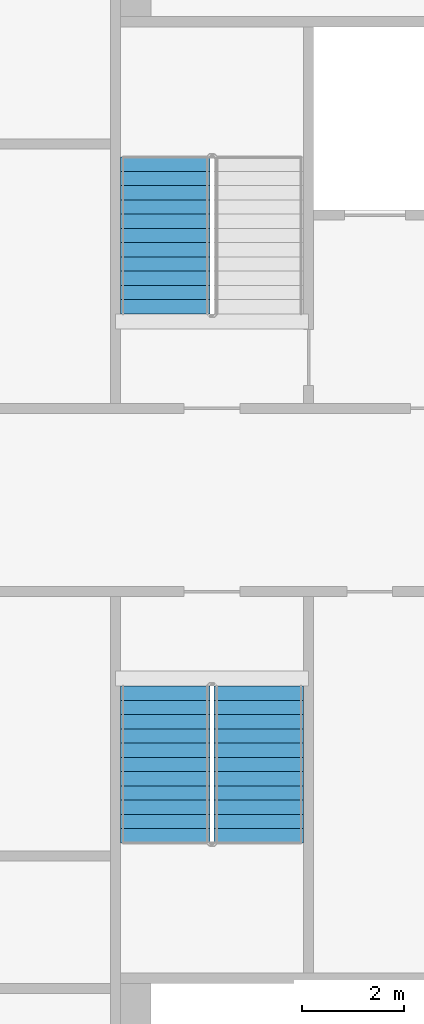
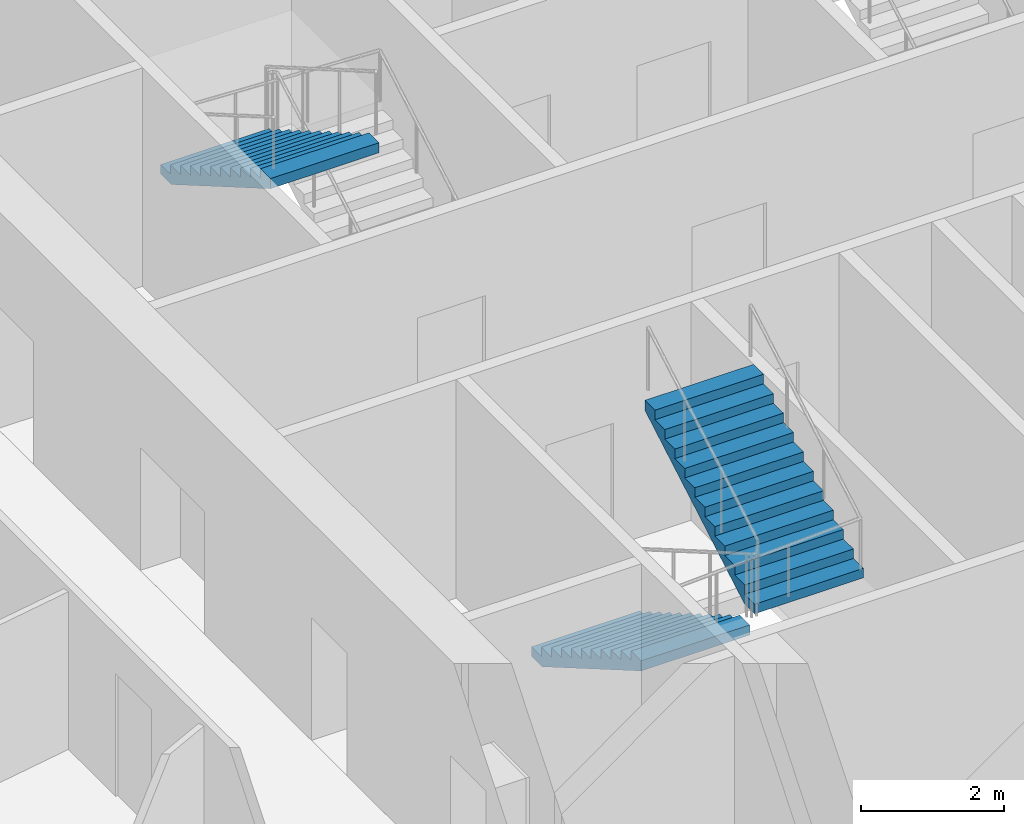
# One storey, part 14 of 21: 3 stair flights, 2 elements without a shape of their own.
"""IFC4 building model written with IfcOpenShell, lengths in metres."""

import ifcopenshell
import ifcopenshell.guid

model = None  # the IFC model being written
_history = None  # IfcOwnerHistory: only IFC2X3 demands one
_inside = {}  # id of a spatial element -> (the spatial element, [elements in it])
_under = {}  # id of a project, library or spatial element -> (it, [spatial elements below it])
_declared = {}  # id of a project -> (the project, [libraries it declares])
_typed = {}  # id of a type object -> (the type object, [elements of that type])
_made_of = {}  # id of a material, layer set ... -> (it, [elements and type objects made of it])


def new_model(schema):
    """Start an empty IFC model of exactly this schema.

    Asked for "IFC4X3", IfcOpenShell would pick the latest addendum, in which some entities
    have other attributes; the version numbers below select the first issue.
    IFC2X3 requires an IfcOwnerHistory on every rooted entity: one is made here for all.
    """
    global model, _history
    if schema == "IFC4X3":
        model = ifcopenshell.file(schema_version=(4, 3, 0, 0))
    else:
        model = ifcopenshell.file(schema=schema)
    _inside.clear()
    _under.clear()
    _declared.clear()
    _typed.clear()
    _made_of.clear()
    _history = None
    if model.schema == "IFC2X3":
        org = make("IfcOrganization", Name="unknown")
        user = make(
            "IfcPersonAndOrganization",
            ThePerson=make("IfcPerson", FamilyName="unknown"),
            TheOrganization=org,
        )
        app = make(
            "IfcApplication",
            ApplicationDeveloper=org,
            Version="unknown",
            ApplicationFullName="unknown",
            ApplicationIdentifier="unknown",
        )
        _history = make(
            "IfcOwnerHistory",
            OwningUser=user,
            OwningApplication=app,
            ChangeAction="ADDED",
            CreationDate=0,
        )
    return model


def make(cls, **values):
    """One entity of the class cls with the attributes given. An attribute that is None is left unset."""
    return model.create_entity(
        cls, **{name: value for name, value in values.items() if value is not None}
    )


def rooted(cls, **values):
    """An entity with a GlobalId (a new one), such as an element, a storey or a relation."""
    return make(cls, GlobalId=ifcopenshell.guid.new(), OwnerHistory=_history, **values)


def si_unit(unit_type, name, prefix=None):
    """IfcSIUnit, for example si_unit("LENGTHUNIT", "METRE", prefix="MILLI")."""
    return make("IfcSIUnit", UnitType=unit_type, Prefix=prefix, Name=name)


def assignment(units):
    """IfcUnitAssignment: the units of a project."""
    return None if units is None else make("IfcUnitAssignment", Units=units)


def point(xyz):
    """IfcCartesianPoint."""
    return None if xyz is None else make("IfcCartesianPoint", Coordinates=xyz)


def direction(xyz):
    """IfcDirection."""
    return None if xyz is None else make("IfcDirection", DirectionRatios=xyz)


def frame(location, z_axis=None, x_axis=None):
    """IfcAxis2Placement3D, a coordinate frame: its origin and axes. An axis left out is left unset."""
    return make(
        "IfcAxis2Placement3D",
        Location=point(location),
        Axis=direction(z_axis),
        RefDirection=direction(x_axis),
    )


def origin():
    """The frame at (0, 0, 0) with its axes left unset."""
    return frame((0.0, 0.0, 0.0))


def place(relative_to, where):
    """IfcLocalPlacement: puts the frame where relative to a parent placement (None: the world)."""
    return make(
        "IfcLocalPlacement", PlacementRelTo=relative_to, RelativePlacement=where
    )


def context(
    kind, dimensions, precision=None, world=None, true_north=None, identifier=None
):
    """IfcGeometricRepresentationContext, for example the 3D "Model" context."""
    return make(
        "IfcGeometricRepresentationContext",
        ContextIdentifier=identifier,
        ContextType=kind,
        CoordinateSpaceDimension=dimensions,
        Precision=precision,
        WorldCoordinateSystem=world,
        TrueNorth=true_north,
    )


def subcontext(parent, identifier, kind, view, scale=None):
    """IfcGeometricRepresentationSubContext, for example "Body" below "Model"."""
    return make(
        "IfcGeometricRepresentationSubContext",
        ContextIdentifier=identifier,
        ContextType=kind,
        ParentContext=parent,
        TargetScale=scale,
        TargetView=view,
    )


def project(units=None, contexts=None):
    """IfcProject with its units and contexts."""
    return rooted(
        "IfcProject",
        Name="project",
        RepresentationContexts=contexts,
        UnitsInContext=assignment(units),
    )


def spatial(cls, under=None, at=None, **own):
    """A site, building, storey or space (cls), placed at a placement, below another one or the project."""
    s = rooted(cls, ObjectPlacement=at, **own)
    if under is not None:
        _under.setdefault(under.id(), (under, []))[1].append(s)
    return s


def faces_of(points, faces, orient=None, outer=None):
    """IfcFace entities. A face is a list of loops; a loop is a list of indices into points, from 0.

    orient and outer hold one flag for each loop. By default every Orientation is true, the
    first loop of a face is its IfcFaceOuterBound and the others are IfcFaceBound.
    """
    made = []
    for i, loops in enumerate(faces):
        bounds = []
        for j, loop in enumerate(loops):
            is_outer = j == 0 if outer is None else outer[i][j]
            bounds.append(
                make(
                    "IfcFaceOuterBound" if is_outer else "IfcFaceBound",
                    Bound=make("IfcPolyLoop", Polygon=[points[k] for k in loop]),
                    Orientation=True if orient is None else orient[i][j],
                )
            )
        made.append(make("IfcFace", Bounds=bounds))
    return made


def faceted_brep(points, faces, orient=None, outer=None, voids=None):
    """IfcFacetedBrep: a solid bounded by flat faces; with voids (closed shells), ...WithVoids."""
    shared = [point(p) for p in points]
    hull = make("IfcClosedShell", CfsFaces=faces_of(shared, faces, orient, outer))
    if voids is None:
        return make("IfcFacetedBrep", Outer=hull)
    return make(
        "IfcFacetedBrepWithVoids",
        Outer=hull,
        Voids=[
            make(cls, CfsFaces=faces_of(shared, fs, o, b)) for cls, fs, o, b in voids
        ],
    )


def shape(context_of_items, identifier, shape_type, items):
    """IfcShapeRepresentation: the items that make up one representation, for example the "Body"."""
    return make(
        "IfcShapeRepresentation",
        ContextOfItems=context_of_items,
        RepresentationIdentifier=identifier,
        RepresentationType=shape_type,
        Items=items,
    )


def material(Name=None, Category=None):
    """IfcMaterial."""
    return make("IfcMaterial", Name=Name, Category=Category)


def made_of(thing, what):
    """Note that an element or type object is made of a material, layer set ...; save() writes the relation."""
    if what is not None:
        _made_of.setdefault(what.id(), (what, []))[1].append(thing)
    return thing


def type_object(cls, material=None, **own):
    """A type object (cls), such as IfcWallType, which elements share."""
    return made_of(rooted(cls, **own), material)


def element(
    cls,
    number,
    at=None,
    inside=None,
    cuts=None,
    type_object=None,
    material=None,
    context=None,
    identifier="Body",
    shape_type=None,
    held_by="IfcProductDefinitionShape",
    body=None,
    shapes=None,
    **own,
):
    """One element of the class cls, such as IfcWall. Its Tag is "e" and its number.

    at: its placement. inside: the storey or other place that contains it. cuts: it is an
    opening in that element (IfcRelVoidsElement). A single representation is given by context,
    identifier, shape_type and body (its items); several are given by shapes. held_by: the class
    of the entity that holds the representations. save() writes the other relations.
    """
    e = rooted(cls, Tag="e%d" % number, ObjectPlacement=at, **own)
    if body is not None:
        shapes = [shape(context, identifier, shape_type, body)]
    if shapes is not None:
        e.Representation = make(held_by, Representations=shapes)
    if inside is not None:
        _inside.setdefault(inside.id(), (inside, []))[1].append(e)
    if cuts is not None:
        rooted(
            "IfcRelVoidsElement", RelatingBuildingElement=cuts, RelatedOpeningElement=e
        )
    if type_object is not None:
        _typed.setdefault(type_object.id(), (type_object, []))[1].append(e)
    return made_of(e, material)


def aggregate(whole, parts):
    """IfcRelAggregates: a whole, such as a stair, and the parts it consists of."""
    return rooted("IfcRelAggregates", RelatingObject=whole, RelatedObjects=parts)


def save(model, path):
    """Write the relations noted so far, then the file.

    IfcRelAggregates (storeys below a building ...), IfcRelContainedInSpatialStructure (elements
    in a storey), IfcRelDefinesByType, IfcRelAssociatesMaterial and IfcRelDeclares: one each for
    every whole, place, type object, material and project.
    """
    for whole, parts in _under.values():
        aggregate(whole, parts)
    for where, things in _inside.values():
        rooted(
            "IfcRelContainedInSpatialStructure",
            RelatedElements=things,
            RelatingStructure=where,
        )
    for kind, things in _typed.values():
        rooted("IfcRelDefinesByType", RelatedObjects=things, RelatingType=kind)
    for what, things in _made_of.values():
        rooted("IfcRelAssociatesMaterial", RelatedObjects=things, RelatingMaterial=what)
    for by, libraries in _declared.values():
        rooted("IfcRelDeclares", RelatingContext=by, RelatedDefinitions=libraries)
    model.write(path)


model = new_model("IFC4")

# Units and contexts
model_context = context("Model", 3, precision=1e-05, world=origin(), true_north=direction((0.0, 1.0)))
body_context = subcontext(model_context, "Body", "Model", "MODEL_VIEW")
ifc_project = project(units=[si_unit("LENGTHUNIT", "METRE"), si_unit("AREAUNIT", "SQUARE_METRE"), si_unit("VOLUMEUNIT", "CUBIC_METRE"), si_unit("PLANEANGLEUNIT", "RADIAN"), si_unit("MASSUNIT", "GRAM", prefix="KILO")], contexts=[model_context])

# Site, building, storey
site_placement = place(None, origin())
site = spatial("IfcSite", under=ifc_project, at=site_placement, CompositionType="ELEMENT")
building_placement = place(site_placement, origin())
building = spatial("IfcBuilding", under=site, at=building_placement, Name="Tarsis Ring Headquarters", CompositionType="ELEMENT")
storey_placement = place(building_placement, frame((0.0, 0.0, 171.0)))
storey = spatial("IfcBuildingStorey", under=building, at=storey_placement, Name="L39", CompositionType="ELEMENT", Elevation=171.0)

# Stair, stair flight
ifc_material_1 = material(Name="Core stair 1760")
stair_type = type_object("IfcStairType", Name="Core stair 1760", PredefinedType="HALF_TURN_STAIR", material=ifc_material_1)
stair_1_placement = place(storey_placement, origin())
stair_1 = element("IfcStair", 1, at=stair_1_placement, inside=storey, type_object=stair_type, Name="L39 Firefighting stair", PredefinedType="HALF_TURN_STAIR")
ifc_material_2 = material(Name="Concrete C40/50", Category="concrete")
stair_flight_type = type_object("IfcStairFlightType", Name="Core stair flight 1760", PredefinedType="STRAIGHT", material=ifc_material_2)
stair_flight_1_placement = place(storey_placement, frame((-5.419921875, 6.739990234375, 1.949951171875), z_axis=(0.0, 0.0, 1.0), x_axis=(0.0, -1.0, 0.0)))
stair_flight_1 = element("IfcStairFlight", 2, at=stair_flight_1_placement, type_object=stair_flight_type, Name="Stair ST1 flight 2", NumberOfRisers=12, NumberOfTreads=11, PredefinedType="STRAIGHT", RiserHeight=0.1625, TreadLength=0.28, context=body_context, shape_type="Brep", body=[
    faceted_brep([(0.0, 0.8798828125, 0.0), (0.0, 0.8798828125, 0.16259765625), (0.280029296875, 0.8798828125, 0.16259765625), (0.280029296875, 0.8798828125, 0.324951171875), (0.56005859375, 0.8798828125, 0.324951171875), (0.56005859375, 0.8798828125, 0.487548828125), (0.840087890625, 0.8798828125, 0.487548828125), (0.840087890625, 0.8798828125, 0.64990234375), (1.1201171875, 0.8798828125, 0.64990234375), (1.1201171875, 0.8798828125, 0.8125), (1.39990234375, 0.8798828125, 0.8125), (1.39990234375, 0.8798828125, 0.97509765625), (1.679931640625, 0.8798828125, 0.97509765625), (1.679931640625, 0.8798828125, 1.137451171875), (1.9599609375, 0.8798828125, 1.137451171875), (1.9599609375, 0.8798828125, 1.300048828125), (2.239990234375, 0.8798828125, 1.300048828125), (2.239990234375, 0.8798828125, 1.46240234375), (2.52001953125, 0.8798828125, 1.46240234375), (2.52001953125, 0.8798828125, 1.625), (2.800048828125, 0.8798828125, 1.625), (2.800048828125, 0.8798828125, 1.78759765625), (3.080078125, 0.8798828125, 1.78759765625), (3.080078125, 0.8798828125, 1.6142578125), (0.298583984375, 0.8798828125, 0.0), (0.298583984375, -0.8798828125, 0.0), (3.080078125, -0.8798828125, 1.6142578125), (3.080078125, -0.8798828125, 1.78759765625), (2.800048828125, -0.8798828125, 1.78759765625), (2.800048828125, -0.8798828125, 1.625), (2.52001953125, -0.8798828125, 1.625), (2.52001953125, -0.8798828125, 1.46240234375), (2.239990234375, -0.8798828125, 1.46240234375), (2.239990234375, -0.8798828125, 1.300048828125), (1.9599609375, -0.8798828125, 1.300048828125), (1.9599609375, -0.8798828125, 1.137451171875), (1.679931640625, -0.8798828125, 1.137451171875), (1.679931640625, -0.8798828125, 0.97509765625), (1.39990234375, -0.8798828125, 0.97509765625), (1.39990234375, -0.8798828125, 0.8125), (1.1201171875, -0.8798828125, 0.8125), (1.1201171875, -0.8798828125, 0.64990234375), (0.840087890625, -0.8798828125, 0.64990234375), (0.840087890625, -0.8798828125, 0.487548828125), (0.56005859375, -0.8798828125, 0.487548828125), (0.56005859375, -0.8798828125, 0.324951171875), (0.280029296875, -0.8798828125, 0.324951171875), (0.280029296875, -0.8798828125, 0.16259765625), (0.0, -0.8798828125, 0.16259765625), (0.0, -0.8798828125, 0.0), (0.0, -0.43994140625, 0.16259765625), (0.0, -0.43994140625, 0.0), (0.0, 0.0, 0.16259765625), (0.0, 0.0, 0.0), (0.0, 0.43994140625, 0.16259765625), (0.0, 0.43994140625, 0.0), (0.280029296875, -0.43994140625, 0.16259765625), (0.280029296875, 0.0, 0.16259765625), (0.280029296875, 0.43994140625, 0.16259765625), (0.280029296875, -0.43994140625, 0.324951171875), (0.280029296875, 0.0, 0.324951171875), (0.280029296875, 0.43994140625, 0.324951171875), (0.56005859375, -0.43994140625, 0.324951171875), (0.56005859375, 0.0, 0.324951171875), (0.56005859375, 0.43994140625, 0.324951171875), (0.56005859375, -0.43994140625, 0.487548828125), (0.56005859375, 0.0, 0.487548828125), (0.56005859375, 0.43994140625, 0.487548828125), (0.840087890625, -0.43994140625, 0.487548828125), (0.840087890625, 0.0, 0.487548828125), (0.840087890625, 0.43994140625, 0.487548828125), (0.840087890625, -0.43994140625, 0.64990234375), (0.840087890625, 0.0, 0.64990234375), (0.840087890625, 0.43994140625, 0.64990234375), (1.1201171875, -0.43994140625, 0.64990234375), (1.1201171875, 0.0, 0.64990234375), (1.1201171875, 0.43994140625, 0.64990234375), (1.1201171875, -0.43994140625, 0.8125), (1.1201171875, 0.0, 0.8125), (1.1201171875, 0.43994140625, 0.8125), (1.39990234375, -0.43994140625, 0.8125), (1.39990234375, 0.0, 0.8125), (1.39990234375, 0.43994140625, 0.8125), (1.39990234375, -0.43994140625, 0.97509765625), (1.39990234375, 0.0, 0.97509765625), (1.39990234375, 0.43994140625, 0.97509765625), (1.679931640625, -0.43994140625, 0.97509765625), (1.679931640625, 0.0, 0.97509765625), (1.679931640625, 0.43994140625, 0.97509765625), (1.679931640625, -0.43994140625, 1.137451171875), (1.679931640625, 0.0, 1.137451171875), (1.679931640625, 0.43994140625, 1.137451171875), (1.9599609375, -0.43994140625, 1.137451171875), (1.9599609375, 0.0, 1.137451171875), (1.9599609375, 0.43994140625, 1.137451171875), (1.9599609375, -0.43994140625, 1.300048828125), (1.9599609375, 0.0, 1.300048828125), (1.9599609375, 0.43994140625, 1.300048828125), (2.239990234375, -0.43994140625, 1.300048828125), (2.239990234375, 0.0, 1.300048828125), (2.239990234375, 0.43994140625, 1.300048828125), (2.239990234375, -0.43994140625, 1.46240234375), (2.239990234375, 0.0, 1.46240234375), (2.239990234375, 0.43994140625, 1.46240234375), (2.52001953125, -0.43994140625, 1.46240234375), (2.52001953125, 0.0, 1.46240234375), (2.52001953125, 0.43994140625, 1.46240234375), (2.52001953125, -0.43994140625, 1.625), (2.52001953125, 0.0, 1.625), (2.52001953125, 0.43994140625, 1.625), (2.800048828125, -0.43994140625, 1.625), (2.800048828125, 0.0, 1.625), (2.800048828125, 0.43994140625, 1.625), (2.800048828125, -0.43994140625, 1.78759765625), (2.800048828125, 0.0, 1.78759765625), (2.800048828125, 0.43994140625, 1.78759765625), (3.080078125, -0.43994140625, 1.78759765625), (3.080078125, 0.0, 1.78759765625), (3.080078125, 0.43994140625, 1.78759765625), (3.080078125, -0.43994140625, 1.6142578125), (3.080078125, 0.0, 1.6142578125), (3.080078125, 0.43994140625, 1.6142578125), (0.298583984375, -0.43994140625, 0.0), (0.298583984375, 0.0, 0.0), (0.298583984375, 0.43994140625, 0.0)], [[[0, 1, 2, 3, 4, 5, 6, 7, 8, 9, 10, 11, 12, 13, 14, 15, 16, 17, 18, 19, 20, 21, 22, 23, 24]], [[25, 26, 27, 28, 29, 30, 31, 32, 33, 34, 35, 36, 37, 38, 39, 40, 41, 42, 43, 44, 45, 46, 47, 48, 49]], [[49, 48, 50, 51]], [[51, 50, 52, 53]], [[53, 52, 54, 55]], [[55, 54, 1, 0]], [[48, 47, 56, 50]], [[50, 56, 57, 52]], [[52, 57, 58, 54]], [[54, 58, 2, 1]], [[47, 46, 59, 56]], [[56, 59, 60, 57]], [[57, 60, 61, 58]], [[58, 61, 3, 2]], [[46, 45, 62, 59]], [[59, 62, 63, 60]], [[60, 63, 64, 61]], [[61, 64, 4, 3]], [[45, 44, 65, 62]], [[62, 65, 66, 63]], [[63, 66, 67, 64]], [[64, 67, 5, 4]], [[44, 43, 68, 65]], [[65, 68, 69, 66]], [[66, 69, 70, 67]], [[67, 70, 6, 5]], [[43, 42, 71, 68]], [[68, 71, 72, 69]], [[69, 72, 73, 70]], [[70, 73, 7, 6]], [[42, 41, 74, 71]], [[71, 74, 75, 72]], [[72, 75, 76, 73]], [[73, 76, 8, 7]], [[41, 40, 77, 74]], [[74, 77, 78, 75]], [[75, 78, 79, 76]], [[76, 79, 9, 8]], [[40, 39, 80, 77]], [[77, 80, 81, 78]], [[78, 81, 82, 79]], [[79, 82, 10, 9]], [[39, 38, 83, 80]], [[80, 83, 84, 81]], [[81, 84, 85, 82]], [[82, 85, 11, 10]], [[38, 37, 86, 83]], [[83, 86, 87, 84]], [[84, 87, 88, 85]], [[85, 88, 12, 11]], [[37, 36, 89, 86]], [[86, 89, 90, 87]], [[87, 90, 91, 88]], [[88, 91, 13, 12]], [[36, 35, 92, 89]], [[89, 92, 93, 90]], [[90, 93, 94, 91]], [[91, 94, 14, 13]], [[35, 34, 95, 92]], [[92, 95, 96, 93]], [[93, 96, 97, 94]], [[94, 97, 15, 14]], [[34, 33, 98, 95]], [[95, 98, 99, 96]], [[96, 99, 100, 97]], [[97, 100, 16, 15]], [[33, 32, 101, 98]], [[98, 101, 102, 99]], [[99, 102, 103, 100]], [[100, 103, 17, 16]], [[32, 31, 104, 101]], [[101, 104, 105, 102]], [[102, 105, 106, 103]], [[103, 106, 18, 17]], [[31, 30, 107, 104]], [[104, 107, 108, 105]], [[105, 108, 109, 106]], [[106, 109, 19, 18]], [[30, 29, 110, 107]], [[107, 110, 111, 108]], [[108, 111, 112, 109]], [[109, 112, 20, 19]], [[29, 28, 113, 110]], [[110, 113, 114, 111]], [[111, 114, 115, 112]], [[112, 115, 21, 20]], [[28, 27, 116, 113]], [[113, 116, 117, 114]], [[114, 117, 118, 115]], [[115, 118, 22, 21]], [[27, 26, 119, 116]], [[116, 119, 120, 117]], [[117, 120, 121, 118]], [[118, 121, 23, 22]], [[26, 25, 122, 119]], [[119, 122, 123, 120]], [[120, 123, 124, 121]], [[121, 124, 24, 23]], [[25, 49, 51, 122]], [[122, 51, 53, 123]], [[123, 53, 55, 124]], [[124, 55, 0, 24]]]),
])
aggregate(stair_1, [stair_flight_1])

# Stair, stair flights
stair_2_placement = place(storey_placement, origin())
stair_2 = element("IfcStair", 3, at=stair_2_placement, inside=storey, type_object=stair_type, Name="L39 Exit stair C", PredefinedType="HALF_TURN_STAIR")
stair_flight_2_placement = place(storey_placement, frame((-5.419921875, -3.659912109375, 0.0), z_axis=(0.0, 0.0, 1.0), x_axis=(0.0, -1.0, 0.0)))
stair_flight_2 = element("IfcStairFlight", 4, at=stair_flight_2_placement, type_object=stair_flight_type, Name="Stair ST3 flight 1", NumberOfRisers=12, NumberOfTreads=11, PredefinedType="STRAIGHT", RiserHeight=0.1625, TreadLength=0.28, context=body_context, shape_type="Brep", body=[
    faceted_brep([(0.0, 0.8798828125, 0.0), (0.0, 0.8798828125, 0.16259765625), (0.280029296875, 0.8798828125, 0.16259765625), (0.280029296875, 0.8798828125, 0.324951171875), (0.56005859375, 0.8798828125, 0.324951171875), (0.56005859375, 0.8798828125, 0.487548828125), (0.840087890625, 0.8798828125, 0.487548828125), (0.840087890625, 0.8798828125, 0.64990234375), (1.1201171875, 0.8798828125, 0.64990234375), (1.1201171875, 0.8798828125, 0.8125), (1.39990234375, 0.8798828125, 0.8125), (1.39990234375, 0.8798828125, 0.97509765625), (1.679931640625, 0.8798828125, 0.97509765625), (1.679931640625, 0.8798828125, 1.137451171875), (1.9599609375, 0.8798828125, 1.137451171875), (1.9599609375, 0.8798828125, 1.300048828125), (2.239990234375, 0.8798828125, 1.300048828125), (2.239990234375, 0.8798828125, 1.46240234375), (2.52001953125, 0.8798828125, 1.46240234375), (2.52001953125, 0.8798828125, 1.625), (2.800048828125, 0.8798828125, 1.625), (2.800048828125, 0.8798828125, 1.78759765625), (3.080078125, 0.8798828125, 1.78759765625), (3.080078125, 0.8798828125, 1.6142578125), (0.298583984375, 0.8798828125, 0.0), (0.298583984375, -0.8798828125, 0.0), (3.080078125, -0.8798828125, 1.6142578125), (3.080078125, -0.8798828125, 1.78759765625), (2.800048828125, -0.8798828125, 1.78759765625), (2.800048828125, -0.8798828125, 1.625), (2.52001953125, -0.8798828125, 1.625), (2.52001953125, -0.8798828125, 1.46240234375), (2.239990234375, -0.8798828125, 1.46240234375), (2.239990234375, -0.8798828125, 1.300048828125), (1.9599609375, -0.8798828125, 1.300048828125), (1.9599609375, -0.8798828125, 1.137451171875), (1.679931640625, -0.8798828125, 1.137451171875), (1.679931640625, -0.8798828125, 0.97509765625), (1.39990234375, -0.8798828125, 0.97509765625), (1.39990234375, -0.8798828125, 0.8125), (1.1201171875, -0.8798828125, 0.8125), (1.1201171875, -0.8798828125, 0.64990234375), (0.840087890625, -0.8798828125, 0.64990234375), (0.840087890625, -0.8798828125, 0.487548828125), (0.56005859375, -0.8798828125, 0.487548828125), (0.56005859375, -0.8798828125, 0.324951171875), (0.280029296875, -0.8798828125, 0.324951171875), (0.280029296875, -0.8798828125, 0.16259765625), (0.0, -0.8798828125, 0.16259765625), (0.0, -0.8798828125, 0.0), (0.0, -0.43994140625, 0.16259765625), (0.0, -0.43994140625, 0.0), (0.0, 0.0, 0.16259765625), (0.0, 0.0, 0.0), (0.0, 0.43994140625, 0.16259765625), (0.0, 0.43994140625, 0.0), (0.280029296875, -0.43994140625, 0.16259765625), (0.280029296875, 0.0, 0.16259765625), (0.280029296875, 0.43994140625, 0.16259765625), (0.280029296875, -0.43994140625, 0.324951171875), (0.280029296875, 0.0, 0.324951171875), (0.280029296875, 0.43994140625, 0.324951171875), (0.56005859375, -0.43994140625, 0.324951171875), (0.56005859375, 0.0, 0.324951171875), (0.56005859375, 0.43994140625, 0.324951171875), (0.56005859375, -0.43994140625, 0.487548828125), (0.56005859375, 0.0, 0.487548828125), (0.56005859375, 0.43994140625, 0.487548828125), (0.840087890625, -0.43994140625, 0.487548828125), (0.840087890625, 0.0, 0.487548828125), (0.840087890625, 0.43994140625, 0.487548828125), (0.840087890625, -0.43994140625, 0.64990234375), (0.840087890625, 0.0, 0.64990234375), (0.840087890625, 0.43994140625, 0.64990234375), (1.1201171875, -0.43994140625, 0.64990234375), (1.1201171875, 0.0, 0.64990234375), (1.1201171875, 0.43994140625, 0.64990234375), (1.1201171875, -0.43994140625, 0.8125), (1.1201171875, 0.0, 0.8125), (1.1201171875, 0.43994140625, 0.8125), (1.39990234375, -0.43994140625, 0.8125), (1.39990234375, 0.0, 0.8125), (1.39990234375, 0.43994140625, 0.8125), (1.39990234375, -0.43994140625, 0.97509765625), (1.39990234375, 0.0, 0.97509765625), (1.39990234375, 0.43994140625, 0.97509765625), (1.679931640625, -0.43994140625, 0.97509765625), (1.679931640625, 0.0, 0.97509765625), (1.679931640625, 0.43994140625, 0.97509765625), (1.679931640625, -0.43994140625, 1.137451171875), (1.679931640625, 0.0, 1.137451171875), (1.679931640625, 0.43994140625, 1.137451171875), (1.9599609375, -0.43994140625, 1.137451171875), (1.9599609375, 0.0, 1.137451171875), (1.9599609375, 0.43994140625, 1.137451171875), (1.9599609375, -0.43994140625, 1.300048828125), (1.9599609375, 0.0, 1.300048828125), (1.9599609375, 0.43994140625, 1.300048828125), (2.239990234375, -0.43994140625, 1.300048828125), (2.239990234375, 0.0, 1.300048828125), (2.239990234375, 0.43994140625, 1.300048828125), (2.239990234375, -0.43994140625, 1.46240234375), (2.239990234375, 0.0, 1.46240234375), (2.239990234375, 0.43994140625, 1.46240234375), (2.52001953125, -0.43994140625, 1.46240234375), (2.52001953125, 0.0, 1.46240234375), (2.52001953125, 0.43994140625, 1.46240234375), (2.52001953125, -0.43994140625, 1.625), (2.52001953125, 0.0, 1.625), (2.52001953125, 0.43994140625, 1.625), (2.800048828125, -0.43994140625, 1.625), (2.800048828125, 0.0, 1.625), (2.800048828125, 0.43994140625, 1.625), (2.800048828125, -0.43994140625, 1.78759765625), (2.800048828125, 0.0, 1.78759765625), (2.800048828125, 0.43994140625, 1.78759765625), (3.080078125, -0.43994140625, 1.78759765625), (3.080078125, 0.0, 1.78759765625), (3.080078125, 0.43994140625, 1.78759765625), (3.080078125, -0.43994140625, 1.6142578125), (3.080078125, 0.0, 1.6142578125), (3.080078125, 0.43994140625, 1.6142578125), (0.298583984375, -0.43994140625, 0.0), (0.298583984375, 0.0, 0.0), (0.298583984375, 0.43994140625, 0.0)], [[[0, 1, 2, 3, 4, 5, 6, 7, 8, 9, 10, 11, 12, 13, 14, 15, 16, 17, 18, 19, 20, 21, 22, 23, 24]], [[25, 26, 27, 28, 29, 30, 31, 32, 33, 34, 35, 36, 37, 38, 39, 40, 41, 42, 43, 44, 45, 46, 47, 48, 49]], [[49, 48, 50, 51]], [[51, 50, 52, 53]], [[53, 52, 54, 55]], [[55, 54, 1, 0]], [[48, 47, 56, 50]], [[50, 56, 57, 52]], [[52, 57, 58, 54]], [[54, 58, 2, 1]], [[47, 46, 59, 56]], [[56, 59, 60, 57]], [[57, 60, 61, 58]], [[58, 61, 3, 2]], [[46, 45, 62, 59]], [[59, 62, 63, 60]], [[60, 63, 64, 61]], [[61, 64, 4, 3]], [[45, 44, 65, 62]], [[62, 65, 66, 63]], [[63, 66, 67, 64]], [[64, 67, 5, 4]], [[44, 43, 68, 65]], [[65, 68, 69, 66]], [[66, 69, 70, 67]], [[67, 70, 6, 5]], [[43, 42, 71, 68]], [[68, 71, 72, 69]], [[69, 72, 73, 70]], [[70, 73, 7, 6]], [[42, 41, 74, 71]], [[71, 74, 75, 72]], [[72, 75, 76, 73]], [[73, 76, 8, 7]], [[41, 40, 77, 74]], [[74, 77, 78, 75]], [[75, 78, 79, 76]], [[76, 79, 9, 8]], [[40, 39, 80, 77]], [[77, 80, 81, 78]], [[78, 81, 82, 79]], [[79, 82, 10, 9]], [[39, 38, 83, 80]], [[80, 83, 84, 81]], [[81, 84, 85, 82]], [[82, 85, 11, 10]], [[38, 37, 86, 83]], [[83, 86, 87, 84]], [[84, 87, 88, 85]], [[85, 88, 12, 11]], [[37, 36, 89, 86]], [[86, 89, 90, 87]], [[87, 90, 91, 88]], [[88, 91, 13, 12]], [[36, 35, 92, 89]], [[89, 92, 93, 90]], [[90, 93, 94, 91]], [[91, 94, 14, 13]], [[35, 34, 95, 92]], [[92, 95, 96, 93]], [[93, 96, 97, 94]], [[94, 97, 15, 14]], [[34, 33, 98, 95]], [[95, 98, 99, 96]], [[96, 99, 100, 97]], [[97, 100, 16, 15]], [[33, 32, 101, 98]], [[98, 101, 102, 99]], [[99, 102, 103, 100]], [[100, 103, 17, 16]], [[32, 31, 104, 101]], [[101, 104, 105, 102]], [[102, 105, 106, 103]], [[103, 106, 18, 17]], [[31, 30, 107, 104]], [[104, 107, 108, 105]], [[105, 108, 109, 106]], [[106, 109, 19, 18]], [[30, 29, 110, 107]], [[107, 110, 111, 108]], [[108, 111, 112, 109]], [[109, 112, 20, 19]], [[29, 28, 113, 110]], [[110, 113, 114, 111]], [[111, 114, 115, 112]], [[112, 115, 21, 20]], [[28, 27, 116, 113]], [[113, 116, 117, 114]], [[114, 117, 118, 115]], [[115, 118, 22, 21]], [[27, 26, 119, 116]], [[116, 119, 120, 117]], [[117, 120, 121, 118]], [[118, 121, 23, 22]], [[26, 25, 122, 119]], [[119, 122, 123, 120]], [[120, 123, 124, 121]], [[121, 124, 24, 23]], [[25, 49, 51, 122]], [[122, 51, 53, 123]], [[123, 53, 55, 124]], [[124, 55, 0, 24]]]),
])
stair_flight_3_placement = place(storey_placement, frame((-3.580078125, -6.739990234375, 1.949951171875), z_axis=(0.0, 0.0, 1.0), x_axis=(0.0, 1.0, 0.0)))
stair_flight_3 = element("IfcStairFlight", 5, at=stair_flight_3_placement, type_object=stair_flight_type, Name="Stair ST3 flight 2", NumberOfRisers=12, NumberOfTreads=11, PredefinedType="STRAIGHT", RiserHeight=0.1625, TreadLength=0.28, context=body_context, shape_type="Brep", body=[
    faceted_brep([(0.0, 0.8798828125, 0.0), (0.0, 0.8798828125, 0.16259765625), (0.280029296875, 0.8798828125, 0.16259765625), (0.280029296875, 0.8798828125, 0.324951171875), (0.56005859375, 0.8798828125, 0.324951171875), (0.56005859375, 0.8798828125, 0.487548828125), (0.840087890625, 0.8798828125, 0.487548828125), (0.840087890625, 0.8798828125, 0.64990234375), (1.1201171875, 0.8798828125, 0.64990234375), (1.1201171875, 0.8798828125, 0.8125), (1.39990234375, 0.8798828125, 0.8125), (1.39990234375, 0.8798828125, 0.97509765625), (1.679931640625, 0.8798828125, 0.97509765625), (1.679931640625, 0.8798828125, 1.137451171875), (1.9599609375, 0.8798828125, 1.137451171875), (1.9599609375, 0.8798828125, 1.300048828125), (2.239990234375, 0.8798828125, 1.300048828125), (2.239990234375, 0.8798828125, 1.46240234375), (2.52001953125, 0.8798828125, 1.46240234375), (2.52001953125, 0.8798828125, 1.625), (2.800048828125, 0.8798828125, 1.625), (2.800048828125, 0.8798828125, 1.78759765625), (3.080078125, 0.8798828125, 1.78759765625), (3.080078125, 0.8798828125, 1.6142578125), (0.298583984375, 0.8798828125, 0.0), (0.298583984375, -0.8798828125, 0.0), (3.080078125, -0.8798828125, 1.6142578125), (3.080078125, -0.8798828125, 1.78759765625), (2.800048828125, -0.8798828125, 1.78759765625), (2.800048828125, -0.8798828125, 1.625), (2.52001953125, -0.8798828125, 1.625), (2.52001953125, -0.8798828125, 1.46240234375), (2.239990234375, -0.8798828125, 1.46240234375), (2.239990234375, -0.8798828125, 1.300048828125), (1.9599609375, -0.8798828125, 1.300048828125), (1.9599609375, -0.8798828125, 1.137451171875), (1.679931640625, -0.8798828125, 1.137451171875), (1.679931640625, -0.8798828125, 0.97509765625), (1.39990234375, -0.8798828125, 0.97509765625), (1.39990234375, -0.8798828125, 0.8125), (1.1201171875, -0.8798828125, 0.8125), (1.1201171875, -0.8798828125, 0.64990234375), (0.840087890625, -0.8798828125, 0.64990234375), (0.840087890625, -0.8798828125, 0.487548828125), (0.56005859375, -0.8798828125, 0.487548828125), (0.56005859375, -0.8798828125, 0.324951171875), (0.280029296875, -0.8798828125, 0.324951171875), (0.280029296875, -0.8798828125, 0.16259765625), (0.0, -0.8798828125, 0.16259765625), (0.0, -0.8798828125, 0.0), (0.0, -0.43994140625, 0.16259765625), (0.0, -0.43994140625, 0.0), (0.0, 0.0, 0.16259765625), (0.0, 0.0, 0.0), (0.0, 0.43994140625, 0.16259765625), (0.0, 0.43994140625, 0.0), (0.280029296875, -0.43994140625, 0.16259765625), (0.280029296875, 0.0, 0.16259765625), (0.280029296875, 0.43994140625, 0.16259765625), (0.280029296875, -0.43994140625, 0.324951171875), (0.280029296875, 0.0, 0.324951171875), (0.280029296875, 0.43994140625, 0.324951171875), (0.56005859375, -0.43994140625, 0.324951171875), (0.56005859375, 0.0, 0.324951171875), (0.56005859375, 0.43994140625, 0.324951171875), (0.56005859375, -0.43994140625, 0.487548828125), (0.56005859375, 0.0, 0.487548828125), (0.56005859375, 0.43994140625, 0.487548828125), (0.840087890625, -0.43994140625, 0.487548828125), (0.840087890625, 0.0, 0.487548828125), (0.840087890625, 0.43994140625, 0.487548828125), (0.840087890625, -0.43994140625, 0.64990234375), (0.840087890625, 0.0, 0.64990234375), (0.840087890625, 0.43994140625, 0.64990234375), (1.1201171875, -0.43994140625, 0.64990234375), (1.1201171875, 0.0, 0.64990234375), (1.1201171875, 0.43994140625, 0.64990234375), (1.1201171875, -0.43994140625, 0.8125), (1.1201171875, 0.0, 0.8125), (1.1201171875, 0.43994140625, 0.8125), (1.39990234375, -0.43994140625, 0.8125), (1.39990234375, 0.0, 0.8125), (1.39990234375, 0.43994140625, 0.8125), (1.39990234375, -0.43994140625, 0.97509765625), (1.39990234375, 0.0, 0.97509765625), (1.39990234375, 0.43994140625, 0.97509765625), (1.679931640625, -0.43994140625, 0.97509765625), (1.679931640625, 0.0, 0.97509765625), (1.679931640625, 0.43994140625, 0.97509765625), (1.679931640625, -0.43994140625, 1.137451171875), (1.679931640625, 0.0, 1.137451171875), (1.679931640625, 0.43994140625, 1.137451171875), (1.9599609375, -0.43994140625, 1.137451171875), (1.9599609375, 0.0, 1.137451171875), (1.9599609375, 0.43994140625, 1.137451171875), (1.9599609375, -0.43994140625, 1.300048828125), (1.9599609375, 0.0, 1.300048828125), (1.9599609375, 0.43994140625, 1.300048828125), (2.239990234375, -0.43994140625, 1.300048828125), (2.239990234375, 0.0, 1.300048828125), (2.239990234375, 0.43994140625, 1.300048828125), (2.239990234375, -0.43994140625, 1.46240234375), (2.239990234375, 0.0, 1.46240234375), (2.239990234375, 0.43994140625, 1.46240234375), (2.52001953125, -0.43994140625, 1.46240234375), (2.52001953125, 0.0, 1.46240234375), (2.52001953125, 0.43994140625, 1.46240234375), (2.52001953125, -0.43994140625, 1.625), (2.52001953125, 0.0, 1.625), (2.52001953125, 0.43994140625, 1.625), (2.800048828125, -0.43994140625, 1.625), (2.800048828125, 0.0, 1.625), (2.800048828125, 0.43994140625, 1.625), (2.800048828125, -0.43994140625, 1.78759765625), (2.800048828125, 0.0, 1.78759765625), (2.800048828125, 0.43994140625, 1.78759765625), (3.080078125, -0.43994140625, 1.78759765625), (3.080078125, 0.0, 1.78759765625), (3.080078125, 0.43994140625, 1.78759765625), (3.080078125, -0.43994140625, 1.6142578125), (3.080078125, 0.0, 1.6142578125), (3.080078125, 0.43994140625, 1.6142578125), (0.298583984375, -0.43994140625, 0.0), (0.298583984375, 0.0, 0.0), (0.298583984375, 0.43994140625, 0.0)], [[[0, 1, 2, 3, 4, 5, 6, 7, 8, 9, 10, 11, 12, 13, 14, 15, 16, 17, 18, 19, 20, 21, 22, 23, 24]], [[25, 26, 27, 28, 29, 30, 31, 32, 33, 34, 35, 36, 37, 38, 39, 40, 41, 42, 43, 44, 45, 46, 47, 48, 49]], [[49, 48, 50, 51]], [[51, 50, 52, 53]], [[53, 52, 54, 55]], [[55, 54, 1, 0]], [[48, 47, 56, 50]], [[50, 56, 57, 52]], [[52, 57, 58, 54]], [[54, 58, 2, 1]], [[47, 46, 59, 56]], [[56, 59, 60, 57]], [[57, 60, 61, 58]], [[58, 61, 3, 2]], [[46, 45, 62, 59]], [[59, 62, 63, 60]], [[60, 63, 64, 61]], [[61, 64, 4, 3]], [[45, 44, 65, 62]], [[62, 65, 66, 63]], [[63, 66, 67, 64]], [[64, 67, 5, 4]], [[44, 43, 68, 65]], [[65, 68, 69, 66]], [[66, 69, 70, 67]], [[67, 70, 6, 5]], [[43, 42, 71, 68]], [[68, 71, 72, 69]], [[69, 72, 73, 70]], [[70, 73, 7, 6]], [[42, 41, 74, 71]], [[71, 74, 75, 72]], [[72, 75, 76, 73]], [[73, 76, 8, 7]], [[41, 40, 77, 74]], [[74, 77, 78, 75]], [[75, 78, 79, 76]], [[76, 79, 9, 8]], [[40, 39, 80, 77]], [[77, 80, 81, 78]], [[78, 81, 82, 79]], [[79, 82, 10, 9]], [[39, 38, 83, 80]], [[80, 83, 84, 81]], [[81, 84, 85, 82]], [[82, 85, 11, 10]], [[38, 37, 86, 83]], [[83, 86, 87, 84]], [[84, 87, 88, 85]], [[85, 88, 12, 11]], [[37, 36, 89, 86]], [[86, 89, 90, 87]], [[87, 90, 91, 88]], [[88, 91, 13, 12]], [[36, 35, 92, 89]], [[89, 92, 93, 90]], [[90, 93, 94, 91]], [[91, 94, 14, 13]], [[35, 34, 95, 92]], [[92, 95, 96, 93]], [[93, 96, 97, 94]], [[94, 97, 15, 14]], [[34, 33, 98, 95]], [[95, 98, 99, 96]], [[96, 99, 100, 97]], [[97, 100, 16, 15]], [[33, 32, 101, 98]], [[98, 101, 102, 99]], [[99, 102, 103, 100]], [[100, 103, 17, 16]], [[32, 31, 104, 101]], [[101, 104, 105, 102]], [[102, 105, 106, 103]], [[103, 106, 18, 17]], [[31, 30, 107, 104]], [[104, 107, 108, 105]], [[105, 108, 109, 106]], [[106, 109, 19, 18]], [[30, 29, 110, 107]], [[107, 110, 111, 108]], [[108, 111, 112, 109]], [[109, 112, 20, 19]], [[29, 28, 113, 110]], [[110, 113, 114, 111]], [[111, 114, 115, 112]], [[112, 115, 21, 20]], [[28, 27, 116, 113]], [[113, 116, 117, 114]], [[114, 117, 118, 115]], [[115, 118, 22, 21]], [[27, 26, 119, 116]], [[116, 119, 120, 117]], [[117, 120, 121, 118]], [[118, 121, 23, 22]], [[26, 25, 122, 119]], [[119, 122, 123, 120]], [[120, 123, 124, 121]], [[121, 124, 24, 23]], [[25, 49, 51, 122]], [[122, 51, 53, 123]], [[123, 53, 55, 124]], [[124, 55, 0, 24]]]),
])
aggregate(stair_2, [stair_flight_2, stair_flight_3])

save(model, "model.ifc")
